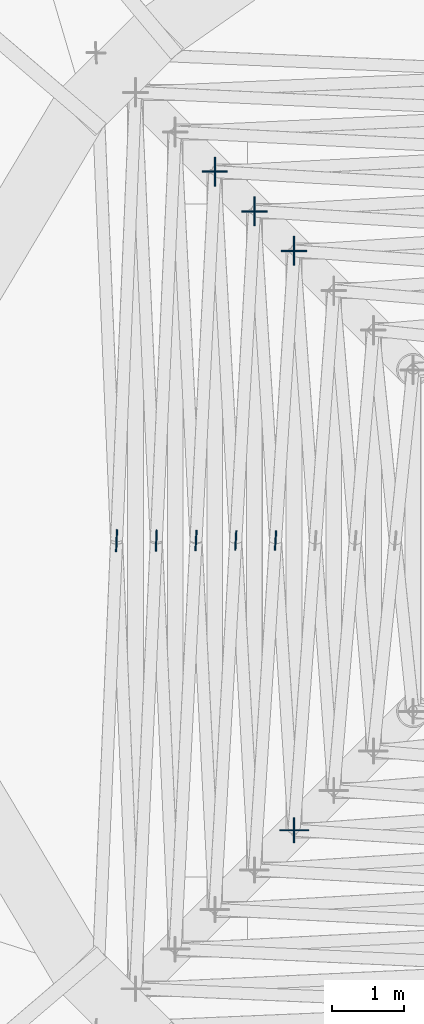
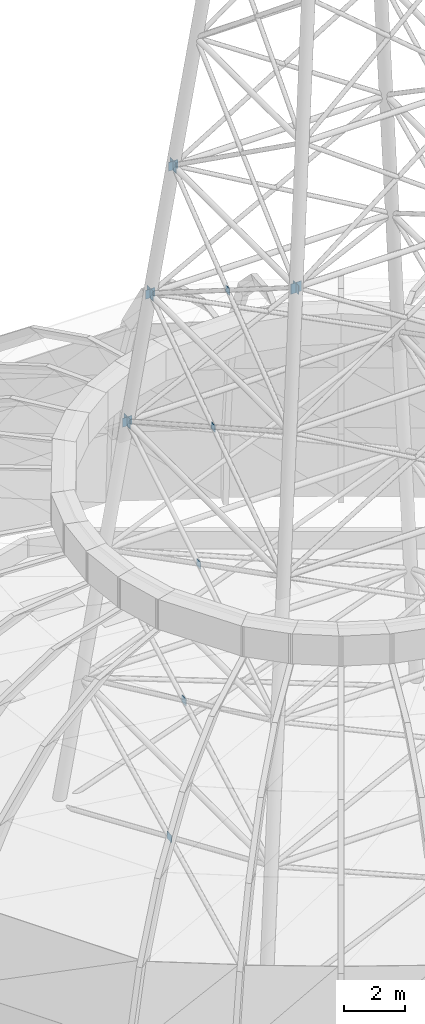
# One storey, part 8 of 27: 13 discrete accessories.
"""IFC4 building model written with IfcOpenShell, lengths in metres."""

from ifc_helpers import new_model, si_unit, direction, frame, origin, origin_2d, place, context, subcontext, project, spatial, rectangle, extrude, material, layer, layer_set, type_object, element, save


model = new_model("IFC4")

# Units and contexts
model_context = context("Model", 3, precision=1e-05, world=origin(), true_north=direction((0.0, 1.0)))
body_context = subcontext(model_context, "Body", "Model", "MODEL_VIEW")
ifc_project = project(units=[si_unit("LENGTHUNIT", "METRE"), si_unit("AREAUNIT", "SQUARE_METRE"), si_unit("VOLUMEUNIT", "CUBIC_METRE"), si_unit("PLANEANGLEUNIT", "RADIAN"), si_unit("MASSUNIT", "GRAM", prefix="KILO")], contexts=[model_context])

# Site, building, storey
site_placement = place(None, origin())
site = spatial("IfcSite", under=ifc_project, at=site_placement, CompositionType="ELEMENT")
building_placement = place(site_placement, origin())
building = spatial("IfcBuilding", under=site, at=building_placement, Name="Ayvan Gate Tower", CompositionType="ELEMENT")
storey_placement = place(building_placement, frame((0.0, 0.0, 267.699951171875)))
storey = spatial("IfcBuildingStorey", under=building, at=storey_placement, Name="Roof", CompositionType="ELEMENT", Elevation=267.699951171875)

# Discrete accessories
ifc_material = material(Name="Steel S460ML", Category="steel")
ifc_layer = layer(ifc_material, 0.02001953125)
ifc_layer_set = layer_set([ifc_layer], Name="Steel S460ML")
discrete_accessory_type = type_object("IfcDiscreteAccessoryType", Name="Gusset plate 20 mm", PredefinedType="BRACKET", material=ifc_layer_set)
discrete_accessory_1_placement = place(storey_placement, frame((-6.484619140625, 0.0, 2.593994140625), z_axis=(0.0, 0.0, 1.0), x_axis=(0.042308111772, 0.999104610978, 0.0)))
element("IfcDiscreteAccessory", 1, at=discrete_accessory_1_placement, inside=storey, type_object=discrete_accessory_type, Name="Gusset plate MAST BRACE 1-2B", PredefinedType="BRACKET", context=body_context, shape_type="SweptSolid", body=[
    extrude(rectangle(XDim=0.3076171875, YDim=0.02001953125, at=origin_2d()), origin(), (0.0, 0.0, 1.0), 0.28466796875),
])
discrete_accessory_2_placement = place(storey_placement, frame((-5.93359375, 0.0, 7.8564453125), z_axis=(0.0, 0.0, 1.0), x_axis=(0.046213815461, 0.99893157086, 0.0)))
element("IfcDiscreteAccessory", 2, at=discrete_accessory_2_placement, inside=storey, type_object=discrete_accessory_type, Name="Gusset plate MAST BRACE 2-2B", PredefinedType="BRACKET", context=body_context, shape_type="SweptSolid", body=[
    extrude(rectangle(XDim=0.2939453125, YDim=0.02001953125, at=origin_2d()), origin(), (0.0, 0.0, 1.0), 0.280029296875),
])
discrete_accessory_3_placement = place(storey_placement, frame((-5.382080078125, 0.0, 13.121337890625), z_axis=(0.0, 0.0, 1.0), x_axis=(0.050913666778, 0.998703058239, 0.0)))
element("IfcDiscreteAccessory", 3, at=discrete_accessory_3_placement, inside=storey, type_object=discrete_accessory_type, Name="Gusset plate MAST BRACE 3-2B", PredefinedType="BRACKET", context=body_context, shape_type="SweptSolid", body=[
    extrude(rectangle(XDim=0.28125, YDim=0.02001953125, at=origin_2d()), origin(), (0.0, 0.0, 1.0), 0.27490234375),
])
discrete_accessory_4_placement = place(storey_placement, frame((-4.830078125, 0.0, 18.3896484375), z_axis=(0.0, 0.0, 1.0), x_axis=(0.056677104857, 0.998392560962, 0.0)))
element("IfcDiscreteAccessory", 4, at=discrete_accessory_4_placement, inside=storey, type_object=discrete_accessory_type, Name="Gusset plate MAST BRACE 4-2B", PredefinedType="BRACKET", context=body_context, shape_type="SweptSolid", body=[
    extrude(rectangle(XDim=0.26953125, YDim=0.02001953125, at=origin_2d()), origin(), (0.0, 0.0, 1.0), 0.269287109375),
])
discrete_accessory_5_placement = place(storey_placement, frame((-4.278076171875, 0.0, 23.65869140625), z_axis=(0.0, 0.0, 1.0), x_axis=(0.063908770204, 0.997955745056, 0.0)))
element("IfcDiscreteAccessory", 5, at=discrete_accessory_5_placement, inside=storey, type_object=discrete_accessory_type, Name="Gusset plate MAST BRACE 5-2B", PredefinedType="BRACKET", context=body_context, shape_type="SweptSolid", body=[
    extrude(rectangle(XDim=0.269287109375, YDim=0.02001953125, at=origin_2d()), origin(), (0.0, 0.0, 1.0), 0.269287109375),
])
discrete_accessory_6_placement = place(storey_placement, frame((-5.120849609375, 5.120849609375, 15.57470703125), z_axis=(0.0, 0.0, 1.0), x_axis=(1.0, 0.0, 0.0)))
element("IfcDiscreteAccessory", 6, at=discrete_accessory_6_placement, inside=storey, type_object=discrete_accessory_type, Name="Gusset plate MAST RING 3-1", PredefinedType="BRACKET", context=body_context, shape_type="SweptSolid", body=[
    extrude(rectangle(XDim=0.3505859375, YDim=0.02001953125, at=origin_2d()), origin(), (0.0, 0.0, 1.0), 0.3505859375),
])
discrete_accessory_7_placement = place(storey_placement, frame((-5.120849609375, 5.120849609375, 15.54833984375), z_axis=(0.0, 0.0, 1.0), x_axis=(0.0, 1.0, 0.0)))
element("IfcDiscreteAccessory", 7, at=discrete_accessory_7_placement, inside=storey, type_object=discrete_accessory_type, Name="Gusset plate MAST RING 3-2", PredefinedType="BRACKET", context=body_context, shape_type="SweptSolid", body=[
    extrude(rectangle(XDim=0.403076171875, YDim=0.02001953125, at=origin_2d()), origin(), (0.0, 0.0, 1.0), 0.403076171875),
])
discrete_accessory_8_placement = place(storey_placement, frame((-4.57080078125, 4.57080078125, 20.82470703125), z_axis=(0.0, 0.0, 1.0), x_axis=(1.0, 0.0, 0.0)))
element("IfcDiscreteAccessory", 8, at=discrete_accessory_8_placement, inside=storey, type_object=discrete_accessory_type, Name="Gusset plate MAST RING 4-1", PredefinedType="BRACKET", context=body_context, shape_type="SweptSolid", body=[
    extrude(rectangle(XDim=0.3505859375, YDim=0.02001953125, at=origin_2d()), origin(), (0.0, 0.0, 1.0), 0.3505859375),
])
discrete_accessory_9_placement = place(storey_placement, frame((-4.57080078125, 4.57080078125, 20.79833984375), z_axis=(0.0, 0.0, 1.0), x_axis=(0.0, 1.0, 0.0)))
element("IfcDiscreteAccessory", 9, at=discrete_accessory_9_placement, inside=storey, type_object=discrete_accessory_type, Name="Gusset plate MAST RING 4-2", PredefinedType="BRACKET", context=body_context, shape_type="SweptSolid", body=[
    extrude(rectangle(XDim=0.403076171875, YDim=0.02001953125, at=origin_2d()), origin(), (0.0, 0.0, 1.0), 0.403076171875),
])
discrete_accessory_10_placement = place(storey_placement, frame((-4.0205078125, 4.0205078125, 26.07470703125), z_axis=(0.0, 0.0, 1.0), x_axis=(1.0, 0.0, 0.0)))
element("IfcDiscreteAccessory", 10, at=discrete_accessory_10_placement, inside=storey, type_object=discrete_accessory_type, Name="Gusset plate MAST RING 5-1", PredefinedType="BRACKET", context=body_context, shape_type="SweptSolid", body=[
    extrude(rectangle(XDim=0.3505859375, YDim=0.02001953125, at=origin_2d()), origin(), (0.0, 0.0, 1.0), 0.3505859375),
])
discrete_accessory_11_placement = place(storey_placement, frame((-4.0205078125, 4.0205078125, 26.04833984375), z_axis=(0.0, 0.0, 1.0), x_axis=(0.0, 1.0, 0.0)))
element("IfcDiscreteAccessory", 11, at=discrete_accessory_11_placement, inside=storey, type_object=discrete_accessory_type, Name="Gusset plate MAST RING 5-2", PredefinedType="BRACKET", context=body_context, shape_type="SweptSolid", body=[
    extrude(rectangle(XDim=0.403076171875, YDim=0.02001953125, at=origin_2d()), origin(), (0.0, 0.0, 1.0), 0.403076171875),
])
discrete_accessory_12_placement = place(storey_placement, frame((-4.0205078125, -4.0205078125, 26.07470703125), z_axis=(0.0, 0.0, 1.0), x_axis=(0.0, 1.0, 0.0)))
element("IfcDiscreteAccessory", 12, at=discrete_accessory_12_placement, inside=storey, type_object=discrete_accessory_type, Name="Gusset plate MAST RING 5-2", PredefinedType="BRACKET", context=body_context, shape_type="SweptSolid", body=[
    extrude(rectangle(XDim=0.3505859375, YDim=0.02001953125, at=origin_2d()), origin(), (0.0, 0.0, 1.0), 0.3505859375),
])
discrete_accessory_13_placement = place(storey_placement, frame((-4.0205078125, -4.0205078125, 26.04833984375), z_axis=(0.0, 0.0, 1.0), x_axis=(1.0, 0.0, 0.0)))
element("IfcDiscreteAccessory", 13, at=discrete_accessory_13_placement, inside=storey, type_object=discrete_accessory_type, Name="Gusset plate MAST RING 5-3", PredefinedType="BRACKET", context=body_context, shape_type="SweptSolid", body=[
    extrude(rectangle(XDim=0.403076171875, YDim=0.02001953125, at=origin_2d()), origin(), (0.0, 0.0, 1.0), 0.403076171875),
])

save(model, "model.ifc")
